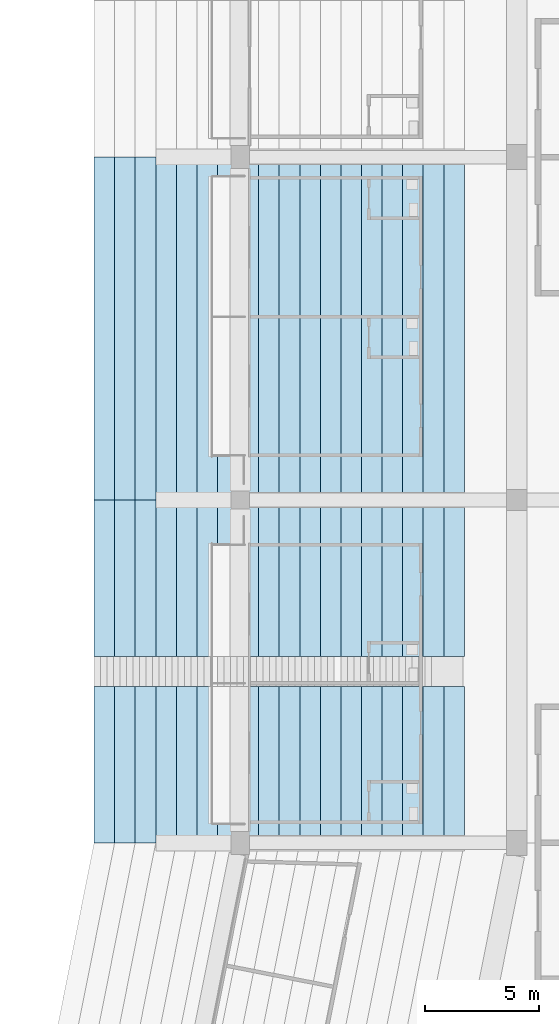
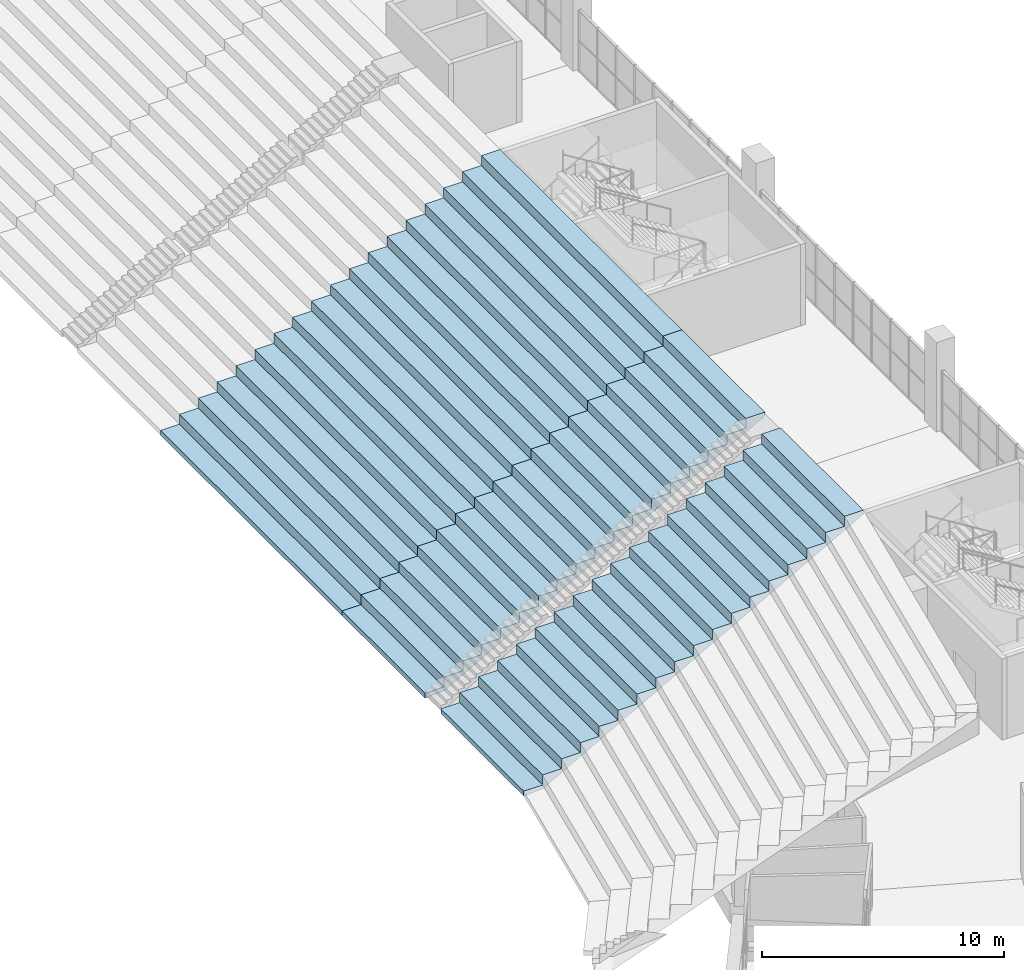
# One storey, part 121 of 249: 2 slabs.
"""IFC4 building model written with IfcOpenShell, lengths in metres."""

from ifc_helpers import new_model, si_unit, direction, frame, origin, place, context, subcontext, project, spatial, faceted_brep, material, layer, layer_set, type_object, element, save


model = new_model("IFC4")

# Units and contexts
model_context = context("Model", 3, precision=1e-05, world=origin(), true_north=direction((0.0, 1.0)))
body_context = subcontext(model_context, "Body", "Model", "MODEL_VIEW")
ifc_project = project(units=[si_unit("LENGTHUNIT", "METRE"), si_unit("AREAUNIT", "SQUARE_METRE"), si_unit("VOLUMEUNIT", "CUBIC_METRE"), si_unit("PLANEANGLEUNIT", "RADIAN"), si_unit("MASSUNIT", "GRAM", prefix="KILO")], contexts=[model_context])

# Site, building, storey
site_placement = place(None, origin())
site = spatial("IfcSite", under=ifc_project, at=site_placement, CompositionType="ELEMENT")
building_placement = place(site_placement, origin())
building = spatial("IfcBuilding", under=site, at=building_placement, Name="Ogive Plaza Stadium", CompositionType="ELEMENT")
storey_placement = place(building_placement, frame((0.0, 0.0, 13.5)))
storey = spatial("IfcBuildingStorey", under=building, at=storey_placement, Name="L03", CompositionType="ELEMENT", Elevation=13.5)

# Slabs
ifc_material = material(Name="Concrete C45/55 precast", Category="concrete")
ifc_layer = layer(ifc_material, 0.699951171875)
ifc_layer_set = layer_set([ifc_layer], Name="Concrete C45/55 precast")
slab_type = type_object("IfcSlabType", Name="Seating tier UT 700", PredefinedType="USERDEFINED", material=ifc_layer_set)
slab_1_placement = place(storey_placement, origin())
element("IfcSlab", 1, at=slab_1_placement, inside=storey, type_object=slab_type, Name="Stand UT B06", ObjectType="SEATING TIER", PredefinedType="USERDEFINED", context=body_context, shape_type="Brep", body=[
    faceted_brep([(55.5, -37.5, 0.5), (56.39990234375, -37.5, 0.5), (56.39990234375, -22.5, 0.5), (55.5, -22.5, 0.5), (56.39990234375, -37.5, 0.300048828125), (55.5, -22.5, 0.25), (56.39990234375, -22.5, 0.300048828125), (55.5, -37.5, 0.25), (56.39990234375, -37.5, 1.0), (56.39990234375, -22.5, 1.0), (57.300048828125, -22.5, 1.0), (57.300048828125, -22.5, 0.800048828125), (57.300048828125, -22.5, 1.5), (58.199951171875, -22.5, 1.5), (58.199951171875, -22.5, 1.300048828125), (58.199951171875, -22.5, 2.0), (59.10009765625, -22.5, 2.0), (59.10009765625, -22.5, 1.800048828125), (59.10009765625, -22.5, 2.5), (60.0, -22.5, 2.5), (60.0, -22.5, 2.300048828125), (60.0, -22.5, 3.0), (60.89990234375, -22.5, 3.0), (60.89990234375, -22.5, 2.800048828125), (60.89990234375, -22.5, 3.5), (61.800048828125, -22.5, 3.5), (61.800048828125, -22.5, 3.300048828125), (61.800048828125, -22.5, 4.0), (62.699951171875, -22.5, 4.0), (62.699951171875, -22.5, 3.800048828125), (62.699951171875, -22.5, 4.5), (63.60009765625, -22.5, 4.5), (63.60009765625, -22.5, 4.300048828125), (63.60009765625, -22.5, 5.0), (64.5, -22.5, 5.0), (64.5, -22.5, 4.800048828125), (64.5, -22.5, 5.5), (65.39990234375, -22.5, 5.5), (65.39990234375, -22.5, 5.300048828125), (65.39990234375, -22.5, 6.0), (66.300048828125, -22.5, 6.0), (66.300048828125, -22.5, 5.800048828125), (66.300048828125, -22.5, 6.5), (67.199951171875, -22.5, 6.5), (67.199951171875, -22.5, 6.300048828125), (67.199951171875, -22.5, 7.0), (68.10009765625, -22.5, 7.0), (68.10009765625, -22.5, 6.800048828125), (68.10009765625, -22.5, 7.5), (69.0, -22.5, 7.5), (69.0, -22.5, 7.300048828125), (69.0, -22.5, 8.0), (69.89990234375, -22.5, 8.0), (69.89990234375, -22.5, 7.800048828125), (69.89990234375, -22.5, 8.5), (70.800048828125, -22.5, 8.5), (70.800048828125, -22.5, 8.300048828125), (70.800048828125, -22.5, 9.0), (71.699951171875, -22.5, 9.0), (71.699951171875, -22.5, 8.800048828125), (57.300048828125, -37.5, 1.0), (57.300048828125, -37.5, 0.800048828125), (58.199951171875, -37.5, 1.5), (57.300048828125, -37.5, 1.5), (58.199951171875, -37.5, 1.300048828125), (59.10009765625, -37.5, 2.0), (58.199951171875, -37.5, 2.0), (59.10009765625, -37.5, 1.800048828125), (60.0, -37.5, 2.5), (59.10009765625, -37.5, 2.5), (60.0, -37.5, 2.300048828125), (60.89990234375, -37.5, 3.0), (60.0, -37.5, 3.0), (60.89990234375, -37.5, 2.800048828125), (61.800048828125, -37.5, 3.5), (60.89990234375, -37.5, 3.5), (61.800048828125, -37.5, 3.300048828125), (62.699951171875, -37.5, 4.0), (61.800048828125, -37.5, 4.0), (62.699951171875, -37.5, 3.800048828125), (63.60009765625, -37.5, 4.5), (62.699951171875, -37.5, 4.5), (63.60009765625, -37.5, 4.300048828125), (64.5, -37.5, 5.0), (63.60009765625, -37.5, 5.0), (64.5, -37.5, 4.800048828125), (65.39990234375, -37.5, 5.5), (64.5, -37.5, 5.5), (65.39990234375, -37.5, 5.300048828125), (66.300048828125, -37.5, 6.0), (65.39990234375, -37.5, 6.0), (66.300048828125, -37.5, 5.800048828125), (67.199951171875, -37.5, 6.5), (66.300048828125, -37.5, 6.5), (67.199951171875, -37.5, 6.300048828125), (68.10009765625, -37.5, 7.0), (67.199951171875, -37.5, 7.0), (68.10009765625, -37.5, 6.800048828125), (69.0, -37.5, 7.5), (68.10009765625, -37.5, 7.5), (69.0, -37.5, 7.300048828125), (69.89990234375, -37.5, 8.0), (69.0, -37.5, 8.0), (69.89990234375, -37.5, 7.800048828125), (70.800048828125, -37.5, 8.5), (69.89990234375, -37.5, 8.5), (70.800048828125, -37.5, 8.300048828125), (71.699951171875, -37.5, 9.0), (70.800048828125, -37.5, 9.0), (71.699951171875, -37.5, 8.800048828125)], [[[0, 1, 2]], [[2, 3, 0]], [[4, 5, 6]], [[4, 7, 5]], [[1, 8, 9]], [[9, 2, 1]], [[6, 5, 3]], [[6, 3, 2]], [[2, 9, 10]], [[10, 11, 6]], [[6, 2, 10]], [[10, 12, 13]], [[13, 14, 11]], [[11, 10, 13]], [[13, 15, 16]], [[16, 17, 14]], [[14, 13, 16]], [[16, 18, 19]], [[19, 20, 17]], [[17, 16, 19]], [[19, 21, 22]], [[22, 23, 20]], [[20, 19, 22]], [[22, 24, 25]], [[25, 26, 23]], [[23, 22, 25]], [[25, 27, 28]], [[28, 29, 26]], [[26, 25, 28]], [[28, 30, 31]], [[31, 32, 29]], [[29, 28, 31]], [[31, 33, 34]], [[34, 35, 32]], [[32, 31, 34]], [[34, 36, 37]], [[37, 38, 35]], [[35, 34, 37]], [[37, 39, 40]], [[40, 41, 38]], [[38, 37, 40]], [[40, 42, 43]], [[43, 44, 41]], [[41, 40, 43]], [[43, 45, 46]], [[46, 47, 44]], [[44, 43, 46]], [[46, 48, 49]], [[49, 50, 47]], [[47, 46, 49]], [[49, 51, 52]], [[52, 53, 50]], [[50, 49, 52]], [[52, 54, 55]], [[55, 56, 53]], [[53, 52, 55]], [[55, 57, 58]], [[58, 59, 56]], [[56, 55, 58]], [[3, 5, 7]], [[7, 0, 3]], [[0, 7, 4]], [[4, 1, 0]], [[60, 8, 1]], [[1, 4, 61]], [[61, 60, 1]], [[62, 63, 60]], [[60, 61, 64]], [[64, 62, 60]], [[65, 66, 62]], [[62, 64, 67]], [[67, 65, 62]], [[68, 69, 65]], [[65, 67, 70]], [[70, 68, 65]], [[71, 72, 68]], [[68, 70, 73]], [[73, 71, 68]], [[74, 75, 71]], [[71, 73, 76]], [[76, 74, 71]], [[77, 78, 74]], [[74, 76, 79]], [[79, 77, 74]], [[80, 81, 77]], [[77, 79, 82]], [[82, 80, 77]], [[83, 84, 80]], [[80, 82, 85]], [[85, 83, 80]], [[86, 87, 83]], [[83, 85, 88]], [[88, 86, 83]], [[89, 90, 86]], [[86, 88, 91]], [[91, 89, 86]], [[92, 93, 89]], [[89, 91, 94]], [[94, 92, 89]], [[95, 96, 92]], [[92, 94, 97]], [[97, 95, 92]], [[98, 99, 95]], [[95, 97, 100]], [[100, 98, 95]], [[101, 102, 98]], [[98, 100, 103]], [[103, 101, 98]], [[104, 105, 101]], [[101, 103, 106]], [[106, 104, 101]], [[107, 108, 104]], [[104, 106, 109]], [[109, 107, 104]], [[8, 60, 10]], [[10, 9, 8]], [[61, 6, 11]], [[61, 4, 6]], [[64, 11, 14]], [[64, 61, 11]], [[67, 14, 17]], [[67, 64, 14]], [[70, 17, 20]], [[70, 67, 17]], [[73, 20, 23]], [[73, 70, 20]], [[76, 23, 26]], [[76, 73, 23]], [[79, 26, 29]], [[79, 76, 26]], [[82, 29, 32]], [[82, 79, 29]], [[85, 32, 35]], [[85, 82, 32]], [[88, 35, 38]], [[88, 85, 35]], [[91, 38, 41]], [[91, 88, 38]], [[94, 41, 44]], [[94, 91, 41]], [[97, 44, 47]], [[97, 94, 44]], [[100, 47, 50]], [[100, 97, 47]], [[60, 63, 12]], [[12, 10, 60]], [[63, 62, 13]], [[13, 12, 63]], [[62, 66, 15]], [[15, 13, 62]], [[66, 65, 16]], [[16, 15, 66]], [[65, 69, 18]], [[18, 16, 65]], [[69, 68, 19]], [[19, 18, 69]], [[68, 72, 21]], [[21, 19, 68]], [[72, 71, 22]], [[22, 21, 72]], [[71, 75, 24]], [[24, 22, 71]], [[75, 74, 25]], [[25, 24, 75]], [[74, 78, 27]], [[27, 25, 74]], [[78, 77, 28]], [[28, 27, 78]], [[77, 81, 30]], [[30, 28, 77]], [[81, 80, 31]], [[31, 30, 81]], [[80, 84, 33]], [[33, 31, 80]], [[84, 83, 34]], [[34, 33, 84]], [[83, 87, 36]], [[36, 34, 83]], [[87, 86, 37]], [[37, 36, 87]], [[86, 90, 39]], [[39, 37, 86]], [[90, 89, 40]], [[40, 39, 90]], [[89, 93, 42]], [[42, 40, 89]], [[93, 92, 43]], [[43, 42, 93]], [[92, 96, 45]], [[45, 43, 92]], [[96, 95, 46]], [[46, 45, 96]], [[95, 99, 48]], [[48, 46, 95]], [[99, 98, 49]], [[49, 48, 99]], [[98, 102, 51]], [[51, 49, 98]], [[102, 101, 52]], [[52, 51, 102]], [[103, 50, 53]], [[103, 100, 50]], [[106, 53, 56]], [[106, 103, 53]], [[109, 56, 59]], [[109, 106, 56]], [[101, 105, 54]], [[54, 52, 101]], [[105, 104, 55]], [[55, 54, 105]], [[104, 108, 57]], [[57, 55, 104]], [[108, 107, 58]], [[58, 57, 108]], [[107, 109, 59]], [[59, 58, 107]]]),
])
slab_2_placement = place(storey_placement, origin())
element("IfcSlab", 2, at=slab_2_placement, inside=storey, type_object=slab_type, Name="Stand UT B07", ObjectType="SEATING TIER", PredefinedType="USERDEFINED", context=body_context, shape_type="Brep", body=[
    faceted_brep([(55.5, -44.35009765625, 0.5), (56.39990234375, -44.35009765625, 0.5), (56.39990234375, -37.5, 0.5), (55.5, -37.5, 0.5), (55.5, -52.5, 0.5), (56.39990234375, -52.5, 0.5), (56.39990234375, -45.64990234375, 0.5), (55.5, -45.64990234375, 0.5), (56.39990234375, -44.35009765625, 0.300048828125), (55.5, -37.5, 0.25), (56.39990234375, -37.5, 0.300048828125), (55.5, -44.35009765625, 0.25), (56.39990234375, -52.5, 0.300048828125), (55.5, -45.64990234375, 0.25), (56.39990234375, -45.64990234375, 0.300048828125), (55.5, -52.5, 0.25), (56.39990234375, -44.35009765625, 1.0), (56.39990234375, -37.5, 1.0), (56.39990234375, -52.5, 1.0), (56.39990234375, -45.64990234375, 1.0), (57.300048828125, -37.5, 1.0), (57.300048828125, -37.5, 0.800048828125), (57.300048828125, -37.5, 1.5), (58.199951171875, -37.5, 1.5), (58.199951171875, -37.5, 1.300048828125), (58.199951171875, -37.5, 2.0), (59.10009765625, -37.5, 2.0), (59.10009765625, -37.5, 1.800048828125), (59.10009765625, -37.5, 2.5), (60.0, -37.5, 2.5), (60.0, -37.5, 2.300048828125), (60.0, -37.5, 3.0), (60.89990234375, -37.5, 3.0), (60.89990234375, -37.5, 2.800048828125), (60.89990234375, -37.5, 3.5), (61.800048828125, -37.5, 3.5), (61.800048828125, -37.5, 3.300048828125), (61.800048828125, -37.5, 4.0), (62.699951171875, -37.5, 4.0), (62.699951171875, -37.5, 3.800048828125), (62.699951171875, -37.5, 4.5), (63.60009765625, -37.5, 4.5), (63.60009765625, -37.5, 4.300048828125), (63.60009765625, -37.5, 5.0), (64.5, -37.5, 5.0), (64.5, -37.5, 4.800048828125), (64.5, -37.5, 5.5), (65.39990234375, -37.5, 5.5), (65.39990234375, -37.5, 5.300048828125), (65.39990234375, -37.5, 6.0), (66.300048828125, -37.5, 6.0), (66.300048828125, -37.5, 5.800048828125), (66.300048828125, -37.5, 6.5), (67.199951171875, -37.5, 6.5), (67.199951171875, -37.5, 6.300048828125), (67.199951171875, -37.5, 7.0), (68.10009765625, -37.5, 7.0), (68.10009765625, -37.5, 6.800048828125), (68.10009765625, -37.5, 7.5), (69.0, -37.5, 7.5), (69.0, -37.5, 7.300048828125), (69.0, -37.5, 8.0), (69.89990234375, -37.5, 8.0), (69.89990234375, -37.5, 7.800048828125), (69.89990234375, -37.5, 8.5), (70.800048828125, -37.5, 8.5), (70.800048828125, -37.5, 8.300048828125), (70.800048828125, -37.5, 9.0), (71.699951171875, -37.5, 9.0), (71.699951171875, -37.5, 8.800048828125), (57.300048828125, -44.35009765625, 1.0), (57.300048828125, -44.35009765625, 0.800048828125), (58.199951171875, -44.35009765625, 1.5), (57.300048828125, -44.35009765625, 1.5), (58.199951171875, -44.35009765625, 1.300048828125), (59.10009765625, -44.35009765625, 2.0), (58.199951171875, -44.35009765625, 2.0), (59.10009765625, -44.35009765625, 1.800048828125), (60.0, -44.35009765625, 2.5), (59.10009765625, -44.35009765625, 2.5), (60.0, -44.35009765625, 2.300048828125), (60.89990234375, -44.35009765625, 3.0), (60.0, -44.35009765625, 3.0), (60.89990234375, -44.35009765625, 2.800048828125), (61.800048828125, -44.35009765625, 3.5), (60.89990234375, -44.35009765625, 3.5), (61.800048828125, -44.35009765625, 3.300048828125), (62.699951171875, -44.35009765625, 4.0), (61.800048828125, -44.35009765625, 4.0), (62.699951171875, -44.35009765625, 3.800048828125), (63.60009765625, -44.35009765625, 4.5), (62.699951171875, -44.35009765625, 4.5), (63.60009765625, -44.35009765625, 4.300048828125), (64.5, -44.35009765625, 5.0), (63.60009765625, -44.35009765625, 5.0), (64.5, -44.35009765625, 4.800048828125), (65.39990234375, -44.35009765625, 5.5), (64.5, -44.35009765625, 5.5), (65.39990234375, -44.35009765625, 5.300048828125), (66.300048828125, -44.35009765625, 6.0), (65.39990234375, -44.35009765625, 6.0), (66.300048828125, -44.35009765625, 5.800048828125), (67.199951171875, -44.35009765625, 6.5), (66.300048828125, -44.35009765625, 6.5), (67.199951171875, -44.35009765625, 6.300048828125), (68.10009765625, -44.35009765625, 7.0), (67.199951171875, -44.35009765625, 7.0), (68.10009765625, -44.35009765625, 6.800048828125), (69.0, -44.35009765625, 7.5), (68.10009765625, -44.35009765625, 7.5), (69.0, -44.35009765625, 7.300048828125), (69.89990234375, -44.35009765625, 8.0), (69.0, -44.35009765625, 8.0), (69.89990234375, -44.35009765625, 7.800048828125), (70.800048828125, -44.35009765625, 8.5), (69.89990234375, -44.35009765625, 8.5), (70.800048828125, -44.35009765625, 8.300048828125), (71.699951171875, -44.35009765625, 9.0), (70.800048828125, -44.35009765625, 9.0), (71.699951171875, -44.35009765625, 8.800048828125), (57.300048828125, -45.64990234375, 1.0), (57.300048828125, -45.64990234375, 0.800048828125), (57.300048828125, -45.64990234375, 1.5), (58.199951171875, -45.64990234375, 1.5), (58.199951171875, -45.64990234375, 1.300048828125), (58.199951171875, -45.64990234375, 2.0), (59.10009765625, -45.64990234375, 2.0), (59.10009765625, -45.64990234375, 1.800048828125), (59.10009765625, -45.64990234375, 2.5), (60.0, -45.64990234375, 2.5), (60.0, -45.64990234375, 2.300048828125), (60.0, -45.64990234375, 3.0), (60.89990234375, -45.64990234375, 3.0), (60.89990234375, -45.64990234375, 2.800048828125), (60.89990234375, -45.64990234375, 3.5), (61.800048828125, -45.64990234375, 3.5), (61.800048828125, -45.64990234375, 3.300048828125), (61.800048828125, -45.64990234375, 4.0), (62.699951171875, -45.64990234375, 4.0), (62.699951171875, -45.64990234375, 3.800048828125), (62.699951171875, -45.64990234375, 4.5), (63.60009765625, -45.64990234375, 4.5), (63.60009765625, -45.64990234375, 4.300048828125), (63.60009765625, -45.64990234375, 5.0), (64.5, -45.64990234375, 5.0), (64.5, -45.64990234375, 4.800048828125), (64.5, -45.64990234375, 5.5), (65.39990234375, -45.64990234375, 5.5), (65.39990234375, -45.64990234375, 5.300048828125), (65.39990234375, -45.64990234375, 6.0), (66.300048828125, -45.64990234375, 6.0), (66.300048828125, -45.64990234375, 5.800048828125), (66.300048828125, -45.64990234375, 6.5), (67.199951171875, -45.64990234375, 6.5), (67.199951171875, -45.64990234375, 6.300048828125), (67.199951171875, -45.64990234375, 7.0), (68.10009765625, -45.64990234375, 7.0), (68.10009765625, -45.64990234375, 6.800048828125), (68.10009765625, -45.64990234375, 7.5), (69.0, -45.64990234375, 7.5), (69.0, -45.64990234375, 7.300048828125), (69.0, -45.64990234375, 8.0), (69.89990234375, -45.64990234375, 8.0), (69.89990234375, -45.64990234375, 7.800048828125), (69.89990234375, -45.64990234375, 8.5), (70.800048828125, -45.64990234375, 8.5), (70.800048828125, -45.64990234375, 8.300048828125), (70.800048828125, -45.64990234375, 9.0), (71.699951171875, -45.64990234375, 9.0), (71.699951171875, -45.64990234375, 8.800048828125), (57.300048828125, -52.5, 1.0), (57.300048828125, -52.5, 0.800048828125), (58.199951171875, -52.5, 1.5), (57.300048828125, -52.5, 1.5), (58.199951171875, -52.5, 1.300048828125), (59.10009765625, -52.5, 2.0), (58.199951171875, -52.5, 2.0), (59.10009765625, -52.5, 1.800048828125), (60.0, -52.5, 2.5), (59.10009765625, -52.5, 2.5), (60.0, -52.5, 2.300048828125), (60.89990234375, -52.5, 3.0), (60.0, -52.5, 3.0), (60.89990234375, -52.5, 2.800048828125), (61.800048828125, -52.5, 3.5), (60.89990234375, -52.5, 3.5), (61.800048828125, -52.5, 3.300048828125), (62.699951171875, -52.5, 4.0), (61.800048828125, -52.5, 4.0), (62.699951171875, -52.5, 3.800048828125), (63.60009765625, -52.5, 4.5), (62.699951171875, -52.5, 4.5), (63.60009765625, -52.5, 4.300048828125), (64.5, -52.5, 5.0), (63.60009765625, -52.5, 5.0), (64.5, -52.5, 4.800048828125), (65.39990234375, -52.5, 5.5), (64.5, -52.5, 5.5), (65.39990234375, -52.5, 5.300048828125), (66.300048828125, -52.5, 6.0), (65.39990234375, -52.5, 6.0), (66.300048828125, -52.5, 5.800048828125), (67.199951171875, -52.5, 6.5), (66.300048828125, -52.5, 6.5), (67.199951171875, -52.5, 6.300048828125), (68.10009765625, -52.5, 7.0), (67.199951171875, -52.5, 7.0), (68.10009765625, -52.5, 6.800048828125), (69.0, -52.5, 7.5), (68.10009765625, -52.5, 7.5), (69.0, -52.5, 7.300048828125), (69.89990234375, -52.5, 8.0), (69.0, -52.5, 8.0), (69.89990234375, -52.5, 7.800048828125), (70.800048828125, -52.5, 8.5), (69.89990234375, -52.5, 8.5), (70.800048828125, -52.5, 8.300048828125), (71.699951171875, -52.5, 9.0), (70.800048828125, -52.5, 9.0), (71.699951171875, -52.5, 8.800048828125)], [[[0, 1, 2]], [[2, 3, 0]], [[4, 5, 6]], [[6, 7, 4]], [[8, 9, 10]], [[8, 11, 9]], [[12, 13, 14]], [[12, 15, 13]], [[1, 16, 17]], [[17, 2, 1]], [[5, 18, 19]], [[19, 6, 5]], [[10, 9, 3]], [[10, 3, 2]], [[2, 17, 20]], [[20, 21, 10]], [[10, 2, 20]], [[20, 22, 23]], [[23, 24, 21]], [[21, 20, 23]], [[23, 25, 26]], [[26, 27, 24]], [[24, 23, 26]], [[26, 28, 29]], [[29, 30, 27]], [[27, 26, 29]], [[29, 31, 32]], [[32, 33, 30]], [[30, 29, 32]], [[32, 34, 35]], [[35, 36, 33]], [[33, 32, 35]], [[35, 37, 38]], [[38, 39, 36]], [[36, 35, 38]], [[38, 40, 41]], [[41, 42, 39]], [[39, 38, 41]], [[41, 43, 44]], [[44, 45, 42]], [[42, 41, 44]], [[44, 46, 47]], [[47, 48, 45]], [[45, 44, 47]], [[47, 49, 50]], [[50, 51, 48]], [[48, 47, 50]], [[50, 52, 53]], [[53, 54, 51]], [[51, 50, 53]], [[53, 55, 56]], [[56, 57, 54]], [[54, 53, 56]], [[56, 58, 59]], [[59, 60, 57]], [[57, 56, 59]], [[59, 61, 62]], [[62, 63, 60]], [[60, 59, 62]], [[62, 64, 65]], [[65, 66, 63]], [[63, 62, 65]], [[65, 67, 68]], [[68, 69, 66]], [[66, 65, 68]], [[3, 9, 11]], [[11, 0, 3]], [[7, 13, 15]], [[15, 4, 7]], [[0, 11, 8]], [[8, 1, 0]], [[70, 16, 1]], [[1, 8, 71]], [[71, 70, 1]], [[72, 73, 70]], [[70, 71, 74]], [[74, 72, 70]], [[75, 76, 72]], [[72, 74, 77]], [[77, 75, 72]], [[78, 79, 75]], [[75, 77, 80]], [[80, 78, 75]], [[81, 82, 78]], [[78, 80, 83]], [[83, 81, 78]], [[84, 85, 81]], [[81, 83, 86]], [[86, 84, 81]], [[87, 88, 84]], [[84, 86, 89]], [[89, 87, 84]], [[90, 91, 87]], [[87, 89, 92]], [[92, 90, 87]], [[93, 94, 90]], [[90, 92, 95]], [[95, 93, 90]], [[96, 97, 93]], [[93, 95, 98]], [[98, 96, 93]], [[99, 100, 96]], [[96, 98, 101]], [[101, 99, 96]], [[102, 103, 99]], [[99, 101, 104]], [[104, 102, 99]], [[105, 106, 102]], [[102, 104, 107]], [[107, 105, 102]], [[108, 109, 105]], [[105, 107, 110]], [[110, 108, 105]], [[111, 112, 108]], [[108, 110, 113]], [[113, 111, 108]], [[114, 115, 111]], [[111, 113, 116]], [[116, 114, 111]], [[117, 118, 114]], [[114, 116, 119]], [[119, 117, 114]], [[14, 13, 7]], [[14, 7, 6]], [[6, 19, 120]], [[120, 121, 14]], [[14, 6, 120]], [[120, 122, 123]], [[123, 124, 121]], [[121, 120, 123]], [[123, 125, 126]], [[126, 127, 124]], [[124, 123, 126]], [[126, 128, 129]], [[129, 130, 127]], [[127, 126, 129]], [[129, 131, 132]], [[132, 133, 130]], [[130, 129, 132]], [[132, 134, 135]], [[135, 136, 133]], [[133, 132, 135]], [[135, 137, 138]], [[138, 139, 136]], [[136, 135, 138]], [[138, 140, 141]], [[141, 142, 139]], [[139, 138, 141]], [[141, 143, 144]], [[144, 145, 142]], [[142, 141, 144]], [[144, 146, 147]], [[147, 148, 145]], [[145, 144, 147]], [[147, 149, 150]], [[150, 151, 148]], [[148, 147, 150]], [[150, 152, 153]], [[153, 154, 151]], [[151, 150, 153]], [[153, 155, 156]], [[156, 157, 154]], [[154, 153, 156]], [[156, 158, 159]], [[159, 160, 157]], [[157, 156, 159]], [[159, 161, 162]], [[162, 163, 160]], [[160, 159, 162]], [[162, 164, 165]], [[165, 166, 163]], [[163, 162, 165]], [[165, 167, 168]], [[168, 169, 166]], [[166, 165, 168]], [[4, 15, 12]], [[12, 5, 4]], [[170, 18, 5]], [[5, 12, 171]], [[171, 170, 5]], [[172, 173, 170]], [[170, 171, 174]], [[174, 172, 170]], [[175, 176, 172]], [[172, 174, 177]], [[177, 175, 172]], [[178, 179, 175]], [[175, 177, 180]], [[180, 178, 175]], [[181, 182, 178]], [[178, 180, 183]], [[183, 181, 178]], [[184, 185, 181]], [[181, 183, 186]], [[186, 184, 181]], [[187, 188, 184]], [[184, 186, 189]], [[189, 187, 184]], [[190, 191, 187]], [[187, 189, 192]], [[192, 190, 187]], [[193, 194, 190]], [[190, 192, 195]], [[195, 193, 190]], [[196, 197, 193]], [[193, 195, 198]], [[198, 196, 193]], [[199, 200, 196]], [[196, 198, 201]], [[201, 199, 196]], [[202, 203, 199]], [[199, 201, 204]], [[204, 202, 199]], [[205, 206, 202]], [[202, 204, 207]], [[207, 205, 202]], [[208, 209, 205]], [[205, 207, 210]], [[210, 208, 205]], [[211, 212, 208]], [[208, 210, 213]], [[213, 211, 208]], [[214, 215, 211]], [[211, 213, 216]], [[216, 214, 211]], [[217, 218, 214]], [[214, 216, 219]], [[219, 217, 214]], [[16, 70, 20]], [[20, 17, 16]], [[18, 170, 120]], [[120, 19, 18]], [[71, 10, 21]], [[71, 8, 10]], [[171, 14, 121]], [[171, 12, 14]], [[74, 21, 24]], [[74, 71, 21]], [[174, 121, 124]], [[174, 171, 121]], [[77, 24, 27]], [[77, 74, 24]], [[177, 124, 127]], [[177, 174, 124]], [[80, 27, 30]], [[80, 77, 27]], [[180, 127, 130]], [[180, 177, 127]], [[83, 30, 33]], [[83, 80, 30]], [[183, 130, 133]], [[183, 180, 130]], [[86, 33, 36]], [[86, 83, 33]], [[186, 133, 136]], [[186, 183, 133]], [[89, 36, 39]], [[89, 86, 36]], [[189, 136, 139]], [[189, 186, 136]], [[92, 39, 42]], [[92, 89, 39]], [[192, 139, 142]], [[192, 189, 139]], [[95, 42, 45]], [[95, 92, 42]], [[195, 142, 145]], [[195, 192, 142]], [[98, 45, 48]], [[98, 95, 45]], [[198, 145, 148]], [[198, 195, 145]], [[101, 48, 51]], [[101, 98, 48]], [[201, 148, 151]], [[201, 198, 148]], [[104, 51, 54]], [[104, 101, 51]], [[204, 151, 154]], [[204, 201, 151]], [[107, 54, 57]], [[107, 104, 54]], [[207, 154, 157]], [[207, 204, 154]], [[110, 57, 60]], [[110, 107, 57]], [[210, 157, 160]], [[210, 207, 157]], [[70, 73, 22]], [[22, 20, 70]], [[170, 173, 122]], [[122, 120, 170]], [[73, 72, 23]], [[23, 22, 73]], [[173, 172, 123]], [[123, 122, 173]], [[72, 76, 25]], [[25, 23, 72]], [[172, 176, 125]], [[125, 123, 172]], [[76, 75, 26]], [[26, 25, 76]], [[176, 175, 126]], [[126, 125, 176]], [[75, 79, 28]], [[28, 26, 75]], [[175, 179, 128]], [[128, 126, 175]], [[79, 78, 29]], [[29, 28, 79]], [[179, 178, 129]], [[129, 128, 179]], [[78, 82, 31]], [[31, 29, 78]], [[178, 182, 131]], [[131, 129, 178]], [[82, 81, 32]], [[32, 31, 82]], [[182, 181, 132]], [[132, 131, 182]], [[81, 85, 34]], [[34, 32, 81]], [[181, 185, 134]], [[134, 132, 181]], [[85, 84, 35]], [[35, 34, 85]], [[185, 184, 135]], [[135, 134, 185]], [[84, 88, 37]], [[37, 35, 84]], [[184, 188, 137]], [[137, 135, 184]], [[88, 87, 38]], [[38, 37, 88]], [[188, 187, 138]], [[138, 137, 188]], [[87, 91, 40]], [[40, 38, 87]], [[187, 191, 140]], [[140, 138, 187]], [[91, 90, 41]], [[41, 40, 91]], [[191, 190, 141]], [[141, 140, 191]], [[90, 94, 43]], [[43, 41, 90]], [[190, 194, 143]], [[143, 141, 190]], [[94, 93, 44]], [[44, 43, 94]], [[194, 193, 144]], [[144, 143, 194]], [[93, 97, 46]], [[46, 44, 93]], [[193, 197, 146]], [[146, 144, 193]], [[97, 96, 47]], [[47, 46, 97]], [[197, 196, 147]], [[147, 146, 197]], [[96, 100, 49]], [[49, 47, 96]], [[196, 200, 149]], [[149, 147, 196]], [[100, 99, 50]], [[50, 49, 100]], [[200, 199, 150]], [[150, 149, 200]], [[99, 103, 52]], [[52, 50, 99]], [[199, 203, 152]], [[152, 150, 199]], [[103, 102, 53]], [[53, 52, 103]], [[203, 202, 153]], [[153, 152, 203]], [[102, 106, 55]], [[55, 53, 102]], [[202, 206, 155]], [[155, 153, 202]], [[106, 105, 56]], [[56, 55, 106]], [[206, 205, 156]], [[156, 155, 206]], [[105, 109, 58]], [[58, 56, 105]], [[205, 209, 158]], [[158, 156, 205]], [[109, 108, 59]], [[59, 58, 109]], [[209, 208, 159]], [[159, 158, 209]], [[108, 112, 61]], [[61, 59, 108]], [[208, 212, 161]], [[161, 159, 208]], [[112, 111, 62]], [[62, 61, 112]], [[212, 211, 162]], [[162, 161, 212]], [[113, 60, 63]], [[113, 110, 60]], [[213, 160, 163]], [[213, 210, 160]], [[116, 63, 66]], [[116, 113, 63]], [[216, 163, 166]], [[216, 213, 163]], [[119, 66, 69]], [[119, 116, 66]], [[219, 166, 169]], [[219, 216, 166]], [[111, 115, 64]], [[64, 62, 111]], [[211, 215, 164]], [[164, 162, 211]], [[115, 114, 65]], [[65, 64, 115]], [[215, 214, 165]], [[165, 164, 215]], [[114, 118, 67]], [[67, 65, 114]], [[214, 218, 167]], [[167, 165, 214]], [[118, 117, 68]], [[68, 67, 118]], [[218, 217, 168]], [[168, 167, 218]], [[117, 119, 69]], [[69, 68, 117]], [[217, 219, 169]], [[169, 168, 217]]]),
])

save(model, "model.ifc")
